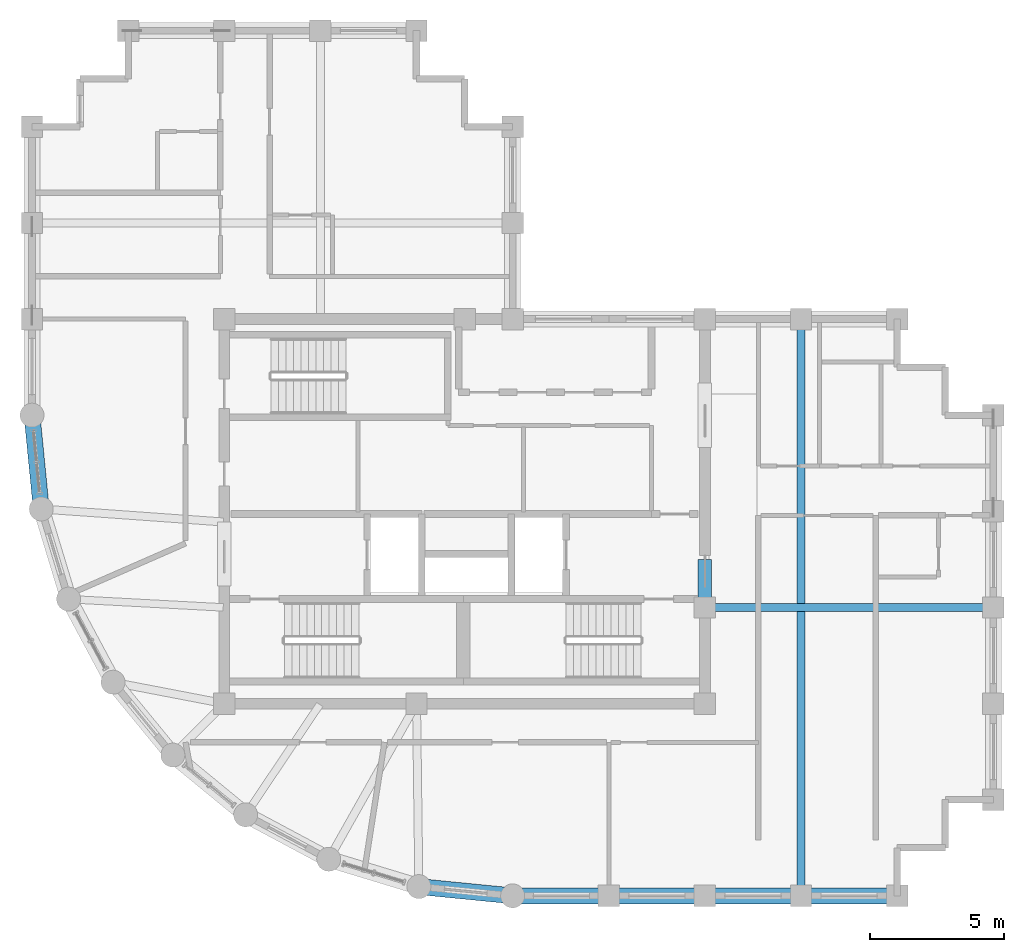
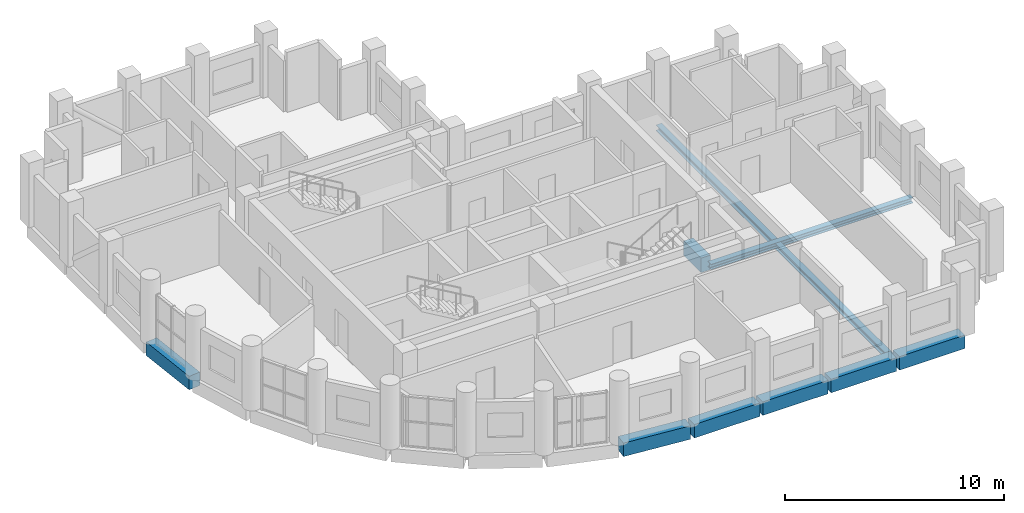
# One storey, part 4 of 11: 9 beams.
"""IFC4 building model written with IfcOpenShell, lengths in metres."""

from ifc_helpers import new_model, si_unit, direction, frame, origin, origin_2d, place, context, subcontext, project, spatial, rectangle, i_section, extrude, material, material_profile, profile_set, type_object, element, save


model = new_model("IFC4")

# Units and contexts
model_context = context("Model", 3, precision=1e-05, world=origin(), true_north=direction((0.0, 1.0)))
body_context = subcontext(model_context, "Body", "Model", "MODEL_VIEW")
ifc_project = project(units=[si_unit("LENGTHUNIT", "METRE"), si_unit("AREAUNIT", "SQUARE_METRE"), si_unit("VOLUMEUNIT", "CUBIC_METRE"), si_unit("PLANEANGLEUNIT", "RADIAN"), si_unit("MASSUNIT", "GRAM", prefix="KILO")], contexts=[model_context])

# Site, building, storey
site_placement = place(None, origin())
site = spatial("IfcSite", under=ifc_project, at=site_placement, CompositionType="ELEMENT")
building_placement = place(site_placement, origin())
building = spatial("IfcBuilding", under=site, at=building_placement, Name="Solnavia Interchange Tower", CompositionType="ELEMENT")
storey_placement = place(building_placement, frame((0.0, 0.0, 239.0)))
storey = spatial("IfcBuildingStorey", under=building, at=storey_placement, Name="L60", CompositionType="ELEMENT", Elevation=239.0)

# Beams
ifc_material_1 = material(Name="Concrete C50/60", Category="concrete")
ifc_material_profile_1 = material_profile(ifc_material_1, rectangle(XDim=0.5, YDim=0.800048828125, at=origin_2d()), Name="RC 500x800")
ifc_profile_set_1 = profile_set([ifc_material_profile_1], Name="Concrete C50/60")
beam_type_1 = type_object("IfcBeamType", Name="Beam-Coupling-RC500x800", PredefinedType="LINTEL", material=ifc_profile_set_1)
beam_1_placement = place(storey_placement, frame((32.39990234375, 14.60009765625, -0.39990234375), z_axis=(0.0, 1.0, 0.0), x_axis=(-1.0, 0.0, 0.0)))
element("IfcBeam", 1, at=beam_1_placement, inside=storey, type_object=beam_type_1, Name="CPB-L60-E1 Core coupling lintel beam", PredefinedType="LINTEL", context=body_context, shape_type="SweptSolid", body=[
    extrude(rectangle(XDim=0.5, YDim=0.800048828125, at=origin_2d()), origin(), (0.0, 0.0, 1.0), 1.599853515625),
])
ifc_material_2 = material(Name="Steel S460", Category="steel")
ifc_material_profile_2 = material_profile(ifc_material_2, i_section(OverallWidth=0.300048828125, OverallDepth=0.300048828125, WebThickness=0.010986328125, FlangeThickness=0.01904296875, FilletRadius=0.027099609375, at=origin_2d()), Name="HEB 300")
ifc_profile_set_2 = profile_set([ifc_material_profile_2], Name="Steel S460")
beam_type_2 = type_object("IfcBeamType", Name="Beam-Girder-HEB300", PredefinedType="BEAM", material=ifc_profile_set_2)
beam_2_placement = place(storey_placement, frame((32.47998046875, 14.39990234375, -0.39990234375), z_axis=(1.0, 0.0, 0.0), x_axis=(0.0, 1.0, 0.0)))
element("IfcBeam", 2, at=beam_2_placement, inside=storey, type_object=beam_type_2, Name="GRD-L60-ES01 East wing spine girder", PredefinedType="BEAM", context=body_context, shape_type="SweptSolid", body=[
    extrude(i_section(OverallWidth=0.300048828125, OverallDepth=0.300048828125, WebThickness=0.010986328125, FlangeThickness=0.01904296875, FilletRadius=0.027099609375, at=origin_2d()), origin(), (0.0, 0.0, 1.0), 10.64013671875),
])
ifc_material_3 = material(Name="Steel S355", Category="steel")
ifc_material_profile_3 = material_profile(ifc_material_3, i_section(OverallWidth=0.300048828125, OverallDepth=0.31005859375, WebThickness=0.009033203125, FlangeThickness=0.015380859375, FilletRadius=0.027099609375, at=origin_2d()), Name="HEA 320")
ifc_profile_set_3 = profile_set([ifc_material_profile_3], Name="Steel S355")
beam_type_3 = type_object("IfcBeamType", Name="Beam-Primary-HEA320", PredefinedType="BEAM", material=ifc_profile_set_3)
beam_3_placement = place(storey_placement, frame((36.0, 3.679931640625, -0.405029296875), z_axis=(0.0, 1.0, 0.0), x_axis=(-1.0, 0.0, 0.0)))
element("IfcBeam", 3, at=beam_3_placement, inside=storey, type_object=beam_type_3, Name="GRD-L60-EW02 East wing primary floor girder", PredefinedType="BEAM", context=body_context, shape_type="SweptSolid", body=[
    extrude(i_section(OverallWidth=0.300048828125, OverallDepth=0.31005859375, WebThickness=0.009033203125, FlangeThickness=0.015380859375, FilletRadius=0.027099609375, at=origin_2d()), origin(), (0.0, 0.0, 1.0), 21.440185546875),
])
ifc_material_profile_4 = material_profile(ifc_material_1, rectangle(XDim=0.60009765625, YDim=0.75, at=origin_2d()), Name="RC 600x750")
ifc_profile_set_4 = profile_set([ifc_material_profile_4], Name="Concrete C50/60")
beam_type_4 = type_object("IfcBeamType", Name="Beam-Spandrel-RC600x750", PredefinedType="SPANDREL", material=ifc_profile_set_4)
beam_4_placement = place(storey_placement, frame((7.207763671875, 21.5205078125, -0.375), z_axis=(0.098040038117, -0.995182471171, 0.0), x_axis=(0.995182471171, 0.098040038117, 0.0)))
element("IfcBeam", 4, at=beam_4_placement, inside=storey, type_object=beam_type_4, Name="SPB-L60-01 Framed-tube perimeter spandrel beam", PredefinedType="SPANDREL", context=body_context, shape_type="SweptSolid", body=[
    extrude(rectangle(XDim=0.60009765625, YDim=0.75, at=origin_2d()), origin(), (0.0, 0.0, 1.0), 3.369140625),
])
beam_5_placement = place(storey_placement, frame((21.767578125, 3.938232421875, -0.375), z_axis=(0.995181774609, -0.098047108501, 0.0), x_axis=(0.098047108501, 0.995181774609, 0.0)))
element("IfcBeam", 5, at=beam_5_placement, inside=storey, type_object=beam_type_4, Name="SPB-L60-08 Framed-tube perimeter spandrel beam", PredefinedType="SPANDREL", context=body_context, shape_type="SweptSolid", body=[
    extrude(rectangle(XDim=0.60009765625, YDim=0.75, at=origin_2d()), origin(), (0.0, 0.0, 1.0), 3.368896484375),
])
beam_6_placement = place(storey_placement, frame((25.280029296875, 3.60009765625, -0.375), z_axis=(1.0, 0.0, 0.0), x_axis=(0.0, 1.0, 0.0)))
element("IfcBeam", 6, at=beam_6_placement, inside=storey, type_object=beam_type_4, Name="SPB-L60-09 Framed-tube perimeter spandrel beam", PredefinedType="SPANDREL", context=body_context, shape_type="SweptSolid", body=[
    extrude(rectangle(XDim=0.60009765625, YDim=0.75, at=origin_2d()), origin(), (0.0, 0.0, 1.0), 3.43994140625),
])
beam_7_placement = place(storey_placement, frame((28.8798828125, 3.60009765625, -0.375), z_axis=(1.0, 0.0, 0.0), x_axis=(0.0, 1.0, 0.0)))
element("IfcBeam", 7, at=beam_7_placement, inside=storey, type_object=beam_type_4, Name="SPB-L60-10 Framed-tube perimeter spandrel beam", PredefinedType="SPANDREL", context=body_context, shape_type="SweptSolid", body=[
    extrude(rectangle(XDim=0.60009765625, YDim=0.75, at=origin_2d()), origin(), (0.0, 0.0, 1.0), 3.440185546875),
])
for number, where, z_axis, x_axis, name in (
    (8, (32.47998046875, 3.60009765625, -0.375), (1.0, 0.0, 0.0), (0.0, 1.0, 0.0), "SPB-L60-11 Framed-tube perimeter spandrel beam"),
    (9, (36.080078125, 3.60009765625, -0.375), (1.0, 0.0, 0.0), (0.0, 1.0, 0.0), "SPB-L60-12 Framed-tube perimeter spandrel beam"),
):
    element("IfcBeam", number, at=place(storey_placement, frame(where, z_axis=z_axis, x_axis=x_axis)), inside=storey, type_object=beam_type_4, Name=name, PredefinedType="SPANDREL", context=body_context, shape_type="SweptSolid", body=[
        extrude(rectangle(XDim=0.60009765625, YDim=0.75, at=origin_2d()), origin(), (0.0, 0.0, 1.0), 3.43994140625),
    ])

save(model, "model.ifc")
